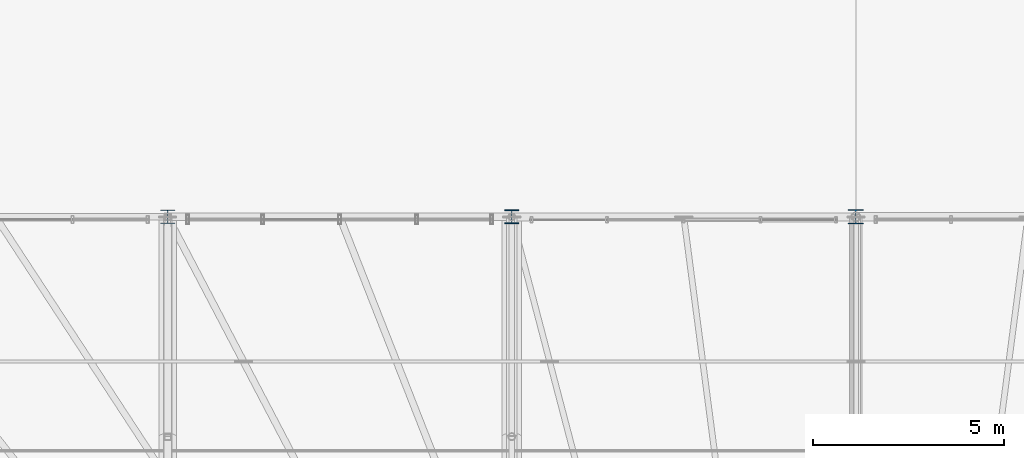
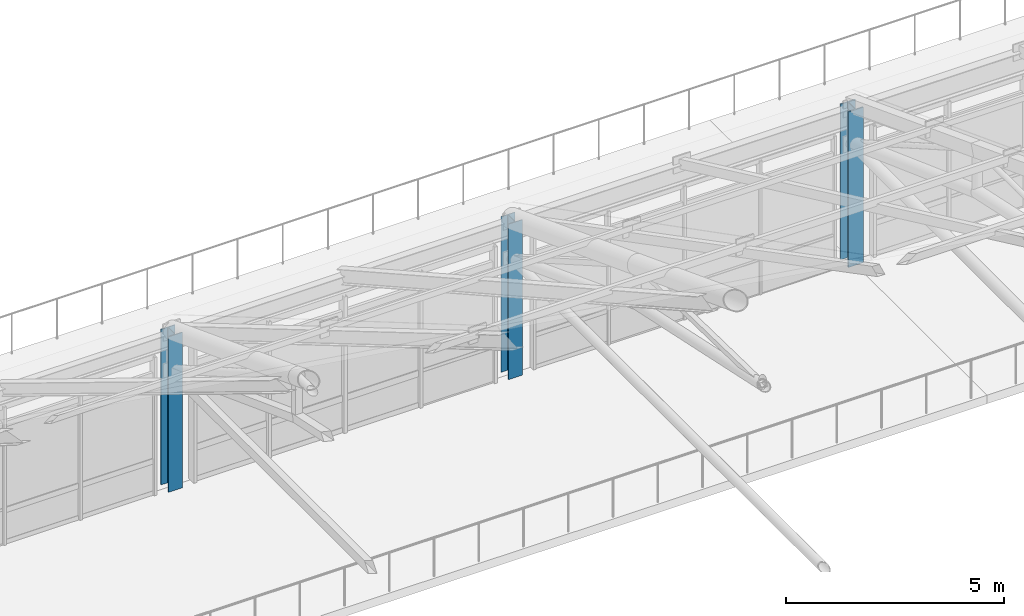
# One storey, part 5 of 168: 3 columns.
"""IFC4 building model written with IfcOpenShell, lengths in metres."""

from ifc_helpers import new_model, si_unit, direction, frame, origin, origin_2d, place, context, subcontext, project, spatial, i_section, extrude, material, material_profile, profile_set, type_object, element, save


model = new_model("IFC4")

# Units and contexts
model_context = context("Model", 3, precision=1e-05, world=origin(), true_north=direction((0.0, 1.0)))
body_context = subcontext(model_context, "Body", "Model", "MODEL_VIEW")
ifc_project = project(units=[si_unit("LENGTHUNIT", "METRE"), si_unit("AREAUNIT", "SQUARE_METRE"), si_unit("VOLUMEUNIT", "CUBIC_METRE"), si_unit("PLANEANGLEUNIT", "RADIAN"), si_unit("MASSUNIT", "GRAM", prefix="KILO"), si_unit("THERMODYNAMICTEMPERATUREUNIT", "KELVIN"), si_unit("POWERUNIT", "WATT")], contexts=[model_context])

# Site, building, storey
site_placement = place(None, origin())
site = spatial("IfcSite", under=ifc_project, at=site_placement, CompositionType="ELEMENT")
building_placement = place(site_placement, origin())
building = spatial("IfcBuilding", under=site, at=building_placement, Name="Tepalcoro Natatorium and Aquatics Centre", CompositionType="ELEMENT")
storey_placement = place(building_placement, frame((0.0, 0.0, 10.199951171875)))
storey = spatial("IfcBuildingStorey", under=building, at=storey_placement, Name="L02", CompositionType="ELEMENT", Elevation=10.199951171875)

# Columns
ifc_material = material(Name="Steel ASTM A992 Grade 50 (Fy 345 MPa)", Category="steel")
ifc_material_profile_1 = material_profile(ifc_material, i_section(OverallWidth=0.37109375, OverallDepth=0.363037109375, WebThickness=0.012939453125, FlangeThickness=0.02197265625, FilletRadius=0.013916015625, at=origin_2d()), Name="W14X109")
ifc_profile_set_1 = profile_set([ifc_material_profile_1], Name="Steel ASTM A992 Grade 50 (Fy 345 MPa)")
column_type_1 = type_object("IfcColumnType", Name="COL_W14x109", PredefinedType="COLUMN", material=ifc_profile_set_1)
column_1_placement = place(storey_placement, frame((71.0, 59.0, 0.0), z_axis=(0.0, 0.0, 1.0), x_axis=(1.0, 0.0, 0.0)))
element("IfcColumn", 1, at=column_1_placement, inside=storey, type_object=column_type_1, Name="V1 L02 Grid Column (71.0, 59.0)", PredefinedType="COLUMN", context=body_context, shape_type="SweptSolid", body=[
    extrude(i_section(OverallWidth=0.37109375, OverallDepth=0.363037109375, WebThickness=0.012939453125, FlangeThickness=0.02197265625, FilletRadius=0.013916015625, at=origin_2d()), origin(), (0.0, 0.0, 1.0), 4.35009765625),
])
ifc_material_profile_2 = material_profile(ifc_material, i_section(OverallWidth=0.39892578125, OverallDepth=0.385986328125, WebThickness=0.02099609375, FlangeThickness=0.032958984375, FilletRadius=0.013916015625, at=origin_2d()), Name="W14X176")
ifc_profile_set_2 = profile_set([ifc_material_profile_2], Name="Steel ASTM A992 Grade 50 (Fy 345 MPa)")
column_type_2 = type_object("IfcColumnType", Name="COL_W14x176", PredefinedType="COLUMN", material=ifc_profile_set_2)
column_2_placement = place(storey_placement, frame((89.0, 59.0, 0.0), z_axis=(0.0, 0.0, 1.0), x_axis=(1.0, 0.0, 0.0)))
element("IfcColumn", 2, at=column_2_placement, inside=storey, type_object=column_type_2, Name="V1 L02 Grid Column (89.0, 59.0)", PredefinedType="COLUMN", context=body_context, shape_type="SweptSolid", body=[
    extrude(i_section(OverallWidth=0.39892578125, OverallDepth=0.385986328125, WebThickness=0.02099609375, FlangeThickness=0.032958984375, FilletRadius=0.013916015625, at=origin_2d()), origin(), (0.0, 0.0, 1.0), 4.35009765625),
])
ifc_material_profile_3 = material_profile(ifc_material, i_section(OverallWidth=0.367919921875, OverallDepth=0.35595703125, WebThickness=0.010986328125, FlangeThickness=0.01806640625, FilletRadius=0.013916015625, at=origin_2d()), Name="W14X90")
ifc_profile_set_3 = profile_set([ifc_material_profile_3], Name="Steel ASTM A992 Grade 50 (Fy 345 MPa)")
column_type_3 = type_object("IfcColumnType", Name="COL_W14x90", PredefinedType="COLUMN", material=ifc_profile_set_3)
column_3_placement = place(storey_placement, frame((80.0, 59.0, 0.0), z_axis=(0.0, 0.0, 1.0), x_axis=(1.0, 0.0, 0.0)))
element("IfcColumn", 3, at=column_3_placement, inside=storey, type_object=column_type_3, Name="V1 L02 Grid Column (80.0, 59.0)", PredefinedType="COLUMN", context=body_context, shape_type="SweptSolid", body=[
    extrude(i_section(OverallWidth=0.367919921875, OverallDepth=0.35595703125, WebThickness=0.010986328125, FlangeThickness=0.01806640625, FilletRadius=0.013916015625, at=origin_2d()), origin(), (0.0, 0.0, 1.0), 4.35009765625),
])

save(model, "model.ifc")
